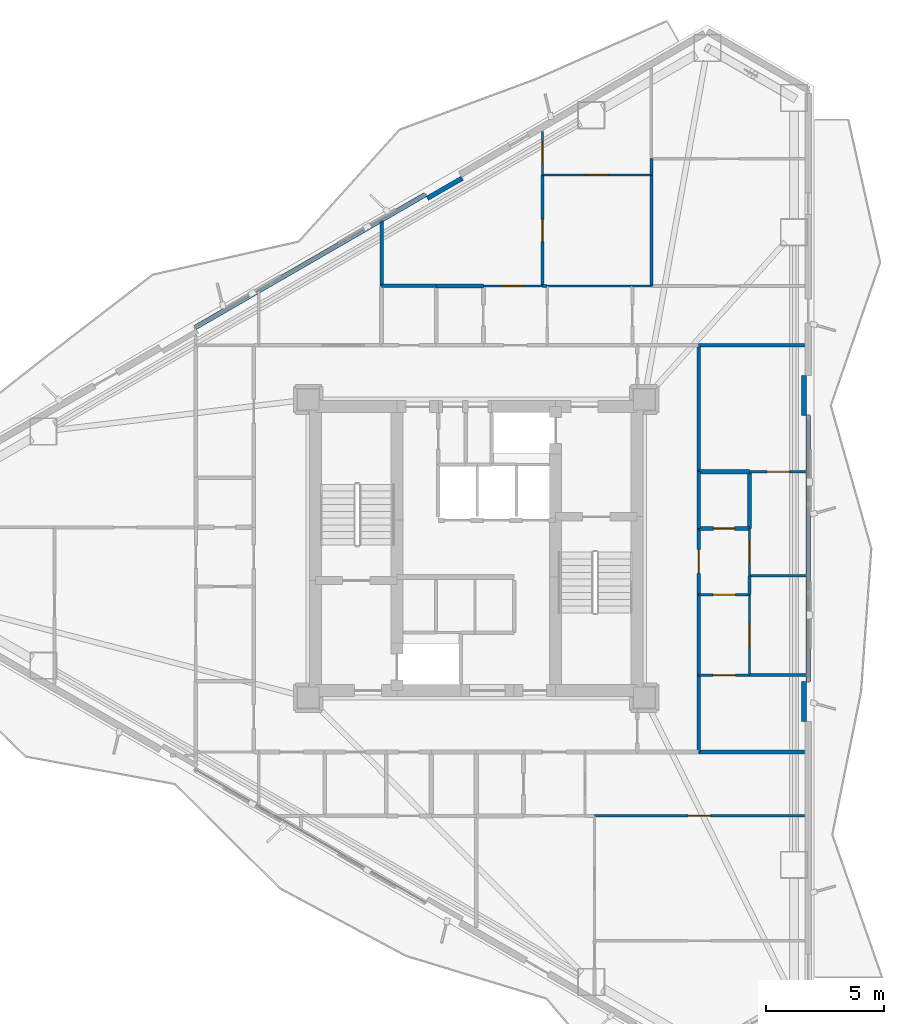
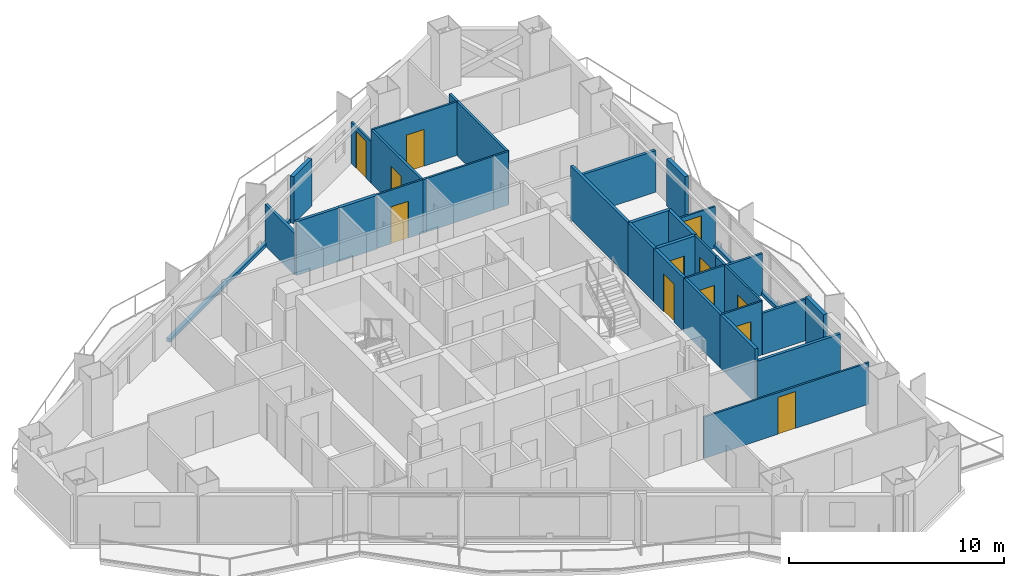
# One storey, part 19 of 23: 36 walls, 12 doors, 12 openings.
"""IFC4 building model written with IfcOpenShell, lengths in metres."""

from ifc_helpers import new_model, si_unit, direction, frame, frame_2d, origin, place, context, subcontext, project, spatial, rectangle, extrude, material, layer, layer_set, type_object, element, fill, save


model = new_model("IFC4")

# Units and contexts
model_context = context("Model", 3, precision=1e-05, world=origin(), true_north=direction((0.0, 1.0)))
body_context = subcontext(model_context, "Body", "Model", "MODEL_VIEW")
ifc_project = project(units=[si_unit("LENGTHUNIT", "METRE"), si_unit("AREAUNIT", "SQUARE_METRE"), si_unit("VOLUMEUNIT", "CUBIC_METRE"), si_unit("PLANEANGLEUNIT", "RADIAN"), si_unit("MASSUNIT", "GRAM", prefix="KILO")], contexts=[model_context])

# Site, building, storey
site_placement = place(None, origin())
site = spatial("IfcSite", under=ifc_project, at=site_placement, CompositionType="ELEMENT")
building_placement = place(site_placement, origin())
building = spatial("IfcBuilding", under=site, at=building_placement, Name="Mersakhor Tower and Convention Hall", CompositionType="ELEMENT")
storey_placement = place(building_placement, frame((0.0, 0.0, 80.10009765625)))
storey = spatial("IfcBuildingStorey", under=building, at=storey_placement, Name="L21", CompositionType="ELEMENT", Elevation=80.10009765625)

# Walls
ifc_material_1 = material(Name="Precast concrete C40/50", Category="concrete")
ifc_layer_1 = layer(ifc_material_1, 0.199951171875)
ifc_layer_set_1 = layer_set([ifc_layer_1], Name="Precast concrete C40/50")
wall_type_1 = type_object("IfcWallType", Name="WL-PAR-200", PredefinedType="PARAPET", material=ifc_layer_set_1)
wall_1_placement = place(storey_placement, frame((17.1201171875, 36.096923828125, 0.0), z_axis=(0.0, 0.0, 1.0), x_axis=(0.866027010039, 0.499997217876, 0.0)))
element("IfcWall", 1, at=wall_1_placement, inside=storey, type_object=wall_type_1, Name="L21 Curtain Wall Upstand Sill F1-B2", PredefinedType="PARAPET", context=body_context, shape_type="SweptSolid", body=[
    extrude(rectangle(XDim=11.2294921875, YDim=0.199951171875, at=frame_2d((5.61474609375, 0.0))), origin(), (0.0, 0.0, 1.0), 0.199951171875),
])
wall_2_placement = place(storey_placement, frame((26.935302734375, 41.555908203125, 0.0), z_axis=(0.0, 0.0, 1.0), x_axis=(0.86605165483, 0.499954529098, 0.0)))
element("IfcWall", 2, at=wall_2_placement, inside=storey, type_object=wall_type_1, Name="L21 Column Pier Cladding Wall F1-C2", PredefinedType="PARAPET", context=body_context, shape_type="SweptSolid", body=[
    extrude(rectangle(XDim=1.699951171875, YDim=0.199951171875, at=frame_2d((0.85009765625, 0.0))), origin(), (0.0, 0.0, 1.0), 2.669921875),
])
wall_3_placement = place(storey_placement, frame((43.03466796875, 32.36474609375, 0.0), z_axis=(0.0, 0.0, 1.0), x_axis=(0.0, -1.0, 0.0)))
element("IfcWall", 3, at=wall_3_placement, inside=storey, type_object=wall_type_1, Name="L21 Curtain Wall Upstand Sill F2-B2", PredefinedType="PARAPET", context=body_context, shape_type="SweptSolid", body=[
    extrude(rectangle(XDim=11.2294921875, YDim=0.199951171875, at=frame_2d((5.61474609375, 0.0))), origin(), (0.0, 0.0, 1.0), 0.199951171875),
])
for number, where, z_axis, x_axis, name in (
    (4, (42.8544921875, 34.064697265625, 0.0), (0.0, 0.0, 1.0), (0.0, -1.0, 0.0), "L21 Column Pier Cladding Wall F2-C1"),
    (5, (42.8544921875, 21.13525390625, 0.0), (0.0, 0.0, 1.0), (0.0, -1.0, 0.0), "L21 Column Pier Cladding Wall F2-C2"),
):
    element("IfcWall", number, at=place(storey_placement, frame(where, z_axis=z_axis, x_axis=x_axis)), inside=storey, type_object=wall_type_1, Name=name, PredefinedType="PARAPET", context=body_context, shape_type="SweptSolid", body=[
        extrude(rectangle(XDim=1.699951171875, YDim=0.199951171875, at=frame_2d((0.85009765625, 0.0))), origin(), (0.0, 0.0, 1.0), 2.669921875),
    ])

# Wall, opening, door
ifc_material_2 = material(Name="Moisture-resistant acoustic drywall studwork", Category="other")
ifc_layer_2 = layer(ifc_material_2, 0.175048828125)
ifc_layer_set_2 = layer_set([ifc_layer_2], Name="Moisture-resistant acoustic drywall studwork")
wall_type_2 = type_object("IfcWallType", Name="WL-PLM-175", PredefinedType="PLUMBINGWALL", material=ifc_layer_set_2)
wall_4_placement = place(storey_placement, frame((38.39990234375, 27.60009765625, 0.0), z_axis=(0.0, 0.0, 1.0), x_axis=(1.0, 0.0, 0.0)))
wall_4 = element("IfcWall", 6, at=wall_4_placement, inside=storey, type_object=wall_type_2, Name="L21 Interior Partition Wall P-079", PredefinedType="PLUMBINGWALL", context=body_context, shape_type="SweptSolid", body=[
    extrude(rectangle(XDim=2.150146484375, YDim=0.175048828125, at=frame_2d((1.0751953125, 0.0))), origin(), (0.0, 0.0, 1.0), 3.0498046875),
])
opening_1_placement = place(wall_4_placement, frame((0.625, 0.0, 0.0)))
opening_1 = element("IfcOpeningElement", 7, at=opening_1_placement, cuts=wall_4, Name="Opening WD-01", PredefinedType="OPENING", context=body_context, shape_type="SweptSolid", body=[
    extrude(rectangle(XDim=0.89990234375, YDim=2.10009765625, at=frame_2d((0.449951171875, 1.050048828125))), frame((0.0, 0.097412109375, 0.0), z_axis=(0.0, -1.0, 0.0), x_axis=(1.0, 0.0, 0.0)), (0.0, 0.0, 1.0), 0.195068359375),
])
ifc_material_3 = material(Name="Solid-core hardwood leaf in painted steel frame", Category="steel")
door_type_1 = type_object("IfcDoorType", Name="DR-INT-WET-090x210", OperationType="NOTDEFINED", PredefinedType="DOOR", material=ifc_material_3)
door_1_placement = place(opening_1_placement, origin())
door_1 = element("IfcDoor", 8, at=door_1_placement, inside=storey, type_object=door_type_1, Name="L21 L21 Flat E5 Apartment Hall to L21 Flat E5 Bathroom Door", OperationType="SINGLE_SWING_RIGHT", OverallHeight=2.10009765625, OverallWidth=0.89990234375, PredefinedType="DOOR", context=body_context, shape_type="SweptSolid", body=[
    extrude(rectangle(XDim=0.89990234375, YDim=2.10009765625, at=frame_2d((0.449951171875, 1.050048828125))), frame((0.0, 0.02490234375, 0.0), z_axis=(0.0, -1.0, 0.0), x_axis=(1.0, 0.0, 0.0)), (0.0, 0.0, 1.0), 0.050048828125),
])
fill(opening_1, door_1)

# Walls
wall_5_placement = place(storey_placement, frame((27.300048828125, 37.85009765625, 0.0), z_axis=(0.0, 0.0, 1.0), x_axis=(1.0, 0.0, 0.0)))
element("IfcWall", 9, at=wall_5_placement, inside=storey, type_object=wall_type_2, Name="L21 Interior Partition Wall P-083", PredefinedType="PLUMBINGWALL", context=body_context, shape_type="SweptSolid", body=[
    extrude(rectangle(XDim=2.0, YDim=0.175048828125, at=frame_2d((1.0, 0.0))), origin(), (0.0, 0.0, 1.0), 3.0498046875),
])
wall_6_placement = place(storey_placement, frame((40.550048828125, 30.0, 0.0), z_axis=(0.0, 0.0, 1.0), x_axis=(0.0, -1.0, 0.0)))
element("IfcWall", 10, at=wall_6_placement, inside=storey, type_object=wall_type_2, Name="L21 Interior Partition Wall P-098", PredefinedType="PLUMBINGWALL", context=body_context, shape_type="SweptSolid", body=[
    extrude(rectangle(XDim=2.39990234375, YDim=0.175048828125, at=frame_2d((1.199951171875, 0.0))), origin(), (0.0, 0.0, 1.0), 3.0498046875),
])
wall_7_placement = place(storey_placement, frame((38.39990234375, 30.0, 0.0), z_axis=(0.0, 0.0, 1.0), x_axis=(1.0, 0.0, 0.0)))
element("IfcWall", 11, at=wall_7_placement, inside=storey, type_object=wall_type_2, Name="L21 Interior Partition Wall P-099", PredefinedType="PLUMBINGWALL", context=body_context, shape_type="SweptSolid", body=[
    extrude(rectangle(XDim=2.150146484375, YDim=0.175048828125, at=frame_2d((1.0751953125, 0.0))), origin(), (0.0, 0.0, 1.0), 3.0498046875),
])

# Wall, opening, door
ifc_material_4 = material(Name="Lightweight gypsum partition", Category="other")
ifc_layer_3 = layer(ifc_material_4, 0.10009765625)
ifc_layer_set_3 = layer_set([ifc_layer_3], Name="Lightweight gypsum partition")
wall_type_3 = type_object("IfcWallType", Name="WL-PRT-100", PredefinedType="PARTITIONING", material=ifc_layer_set_3)
wall_8_placement = place(storey_placement, frame((29.300048828125, 37.85009765625, 0.0), z_axis=(0.0, 0.0, 1.0), x_axis=(1.0, 0.0, 0.0)))
wall_8 = element("IfcWall", 12, at=wall_8_placement, inside=storey, type_object=wall_type_3, Name="L21 Interior Partition Wall P-066", PredefinedType="PARTITIONING", context=body_context, shape_type="SweptSolid", body=[
    extrude(rectangle(XDim=2.5, YDim=0.10009765625, at=frame_2d((1.25, 0.0))), origin(), (0.0, 0.0, 1.0), 3.0498046875),
])
opening_2_placement = place(wall_8_placement, frame((0.77490234375, 0.0, 0.0)))
opening_2 = element("IfcOpeningElement", 13, at=opening_2_placement, cuts=wall_8, Name="Opening RD-01", PredefinedType="OPENING", context=body_context, shape_type="SweptSolid", body=[
    extrude(rectangle(XDim=0.949951171875, YDim=2.10009765625, at=frame_2d((0.47509765625, 1.050048828125))), frame((0.0, 0.06005859375, 0.0), z_axis=(0.0, -1.0, 0.0), x_axis=(1.0, 0.0, 0.0)), (0.0, 0.0, 1.0), 0.1201171875),
])
ifc_material_5 = material(Name="Solid-core hardwood leaf in painted steel frame", Category="steel")
door_type_2 = type_object("IfcDoorType", Name="DR-INT-RM-095x210", OperationType="NOTDEFINED", PredefinedType="DOOR", material=ifc_material_5)
door_2_placement = place(opening_2_placement, origin())
door_2 = element("IfcDoor", 14, at=door_2_placement, inside=storey, type_object=door_type_2, Name="L21 L21 Flat N1 Apartment Hall to L21 Flat N1 Living and Dining Room Door", OperationType="SINGLE_SWING_LEFT", OverallHeight=2.10009765625, OverallWidth=0.949951171875, PredefinedType="DOOR", context=body_context, shape_type="SweptSolid", body=[
    extrude(rectangle(XDim=0.949951171875, YDim=2.10009765625, at=frame_2d((0.47509765625, 1.050048828125))), frame((0.0, 0.02490234375, 0.0), z_axis=(0.0, -1.0, 0.0), x_axis=(1.0, 0.0, 0.0)), (0.0, 0.0, 1.0), 0.050048828125),
])
fill(opening_2, door_2)

wall_9_placement = place(storey_placement, frame((40.550048828125, 27.60009765625, 0.0), z_axis=(0.0, 0.0, 1.0), x_axis=(0.0, -1.0, 0.0)))
wall_9 = element("IfcWall", 15, at=wall_9_placement, inside=storey, type_object=wall_type_3, Name="L21 Interior Partition Wall P-076", PredefinedType="PARTITIONING", context=body_context, shape_type="SweptSolid", body=[
    extrude(rectangle(XDim=2.0, YDim=0.10009765625, at=frame_2d((1.0, 0.0))), origin(), (0.0, 0.0, 1.0), 3.0498046875),
])
opening_3_placement = place(wall_9_placement, frame((0.52490234375, 0.0, 0.0)))
opening_3 = element("IfcOpeningElement", 16, at=opening_3_placement, cuts=wall_9, Name="Opening RD-01", PredefinedType="OPENING", context=body_context, shape_type="SweptSolid", body=[
    extrude(rectangle(XDim=0.949951171875, YDim=2.10009765625, at=frame_2d((0.47509765625, 1.050048828125))), frame((0.0, 0.06005859375, 0.0), z_axis=(0.0, -1.0, 0.0), x_axis=(1.0, 0.0, 0.0)), (0.0, 0.0, 1.0), 0.1201171875),
])
door_3_placement = place(opening_3_placement, origin())
door_3 = element("IfcDoor", 17, at=door_3_placement, inside=storey, type_object=door_type_2, Name="L21 L21 Flat E5 Apartment Hall to L21 Flat E5 Master Bedroom Door", OperationType="SINGLE_SWING_LEFT", OverallHeight=2.10009765625, OverallWidth=0.949951171875, PredefinedType="DOOR", context=body_context, shape_type="SweptSolid", body=[
    extrude(rectangle(XDim=0.949951171875, YDim=2.10009765625, at=frame_2d((0.47509765625, 1.050048828125))), frame((0.0, 0.02490234375, 0.0), z_axis=(0.0, -1.0, 0.0), x_axis=(1.0, 0.0, 0.0)), (0.0, 0.0, 1.0), 0.050048828125),
])
fill(opening_3, door_3)

wall_10_placement = place(storey_placement, frame((40.550048828125, 24.800048828125, 0.0), z_axis=(0.0, 0.0, 1.0), x_axis=(-1.0, 0.0, 0.0)))
wall_10 = element("IfcWall", 18, at=wall_10_placement, inside=storey, type_object=wall_type_3, Name="L21 Interior Partition Wall P-078", PredefinedType="PARTITIONING", context=body_context, shape_type="SweptSolid", body=[
    extrude(rectangle(XDim=2.150146484375, YDim=0.10009765625, at=frame_2d((1.0751953125, 0.0))), origin(), (0.0, 0.0, 1.0), 3.0498046875),
])
opening_4_placement = place(wall_10_placement, frame((0.60009765625, 0.0, 0.0)))
opening_4 = element("IfcOpeningElement", 19, at=opening_4_placement, cuts=wall_10, Name="Opening RD-01", PredefinedType="OPENING", context=body_context, shape_type="SweptSolid", body=[
    extrude(rectangle(XDim=0.949951171875, YDim=2.10009765625, at=frame_2d((0.47509765625, 1.050048828125))), frame((0.0, 0.06005859375, 0.0), z_axis=(0.0, -1.0, 0.0), x_axis=(1.0, 0.0, 0.0)), (0.0, 0.0, 1.0), 0.1201171875),
])
door_4_placement = place(opening_4_placement, origin())
door_4 = element("IfcDoor", 20, at=door_4_placement, inside=storey, type_object=door_type_2, Name="L21 L21 Flat E5 Apartment Hall to L21 Flat E5 Dining Alcove Door", OperationType="SINGLE_SWING_RIGHT", OverallHeight=2.10009765625, OverallWidth=0.949951171875, PredefinedType="DOOR", context=body_context, shape_type="SweptSolid", body=[
    extrude(rectangle(XDim=0.949951171875, YDim=2.10009765625, at=frame_2d((0.47509765625, 1.050048828125))), frame((0.0, 0.02490234375, 0.0), z_axis=(0.0, -1.0, 0.0), x_axis=(1.0, 0.0, 0.0)), (0.0, 0.0, 1.0), 0.050048828125),
])
fill(opening_4, door_4)

# Wall
wall_11_placement = place(storey_placement, frame((32.0, 37.85009765625, 0.0), z_axis=(0.0, 0.0, 1.0), x_axis=(1.0, 0.0, 0.0)))
element("IfcWall", 21, at=wall_11_placement, inside=storey, type_object=wall_type_3, Name="L21 Interior Partition Wall P-084", PredefinedType="PARTITIONING", context=body_context, shape_type="SweptSolid", body=[
    extrude(rectangle(XDim=3.60009765625, YDim=0.10009765625, at=frame_2d((1.800048828125, 0.0))), origin(), (0.0, 0.0, 1.0), 3.0498046875),
])

# Wall, opening, door
wall_12_placement = place(storey_placement, frame((42.873046875, 15.449951171875, 0.0), z_axis=(0.0, 0.0, 1.0), x_axis=(-1.0, 0.0, 0.0)))
wall_12 = element("IfcWall", 22, at=wall_12_placement, inside=storey, type_object=wall_type_3, Name="L21 Interior Partition Wall P-092", PredefinedType="PARTITIONING", context=body_context, shape_type="SweptSolid", body=[
    extrude(rectangle(XDim=8.873046875, YDim=0.10009765625, at=frame_2d((4.4365234375, 0.0))), origin(), (0.0, 0.0, 1.0), 2.364990234375),
])
opening_5_placement = place(wall_12_placement, frame((3.961669921875, 0.0, 0.0)))
opening_5 = element("IfcOpeningElement", 23, at=opening_5_placement, cuts=wall_12, Name="Opening RD-01", PredefinedType="OPENING", context=body_context, shape_type="SweptSolid", body=[
    extrude(rectangle(XDim=0.949951171875, YDim=2.10009765625, at=frame_2d((0.47509765625, 1.050048828125))), frame((0.0, 0.06005859375, 0.0), z_axis=(0.0, -1.0, 0.0), x_axis=(1.0, 0.0, 0.0)), (0.0, 0.0, 1.0), 0.1201171875),
])
door_5_placement = place(opening_5_placement, origin())
door_5 = element("IfcDoor", 24, at=door_5_placement, inside=storey, type_object=door_type_2, Name="L21 L21 Flat S3 Kitchen to L21 Flat S3 Dining Room Door", OperationType="SINGLE_SWING_LEFT", OverallHeight=2.10009765625, OverallWidth=0.949951171875, PredefinedType="DOOR", context=body_context, shape_type="SweptSolid", body=[
    extrude(rectangle(XDim=0.949951171875, YDim=2.10009765625, at=frame_2d((0.47509765625, 1.050048828125))), frame((0.0, 0.02490234375, 0.0), z_axis=(0.0, -1.0, 0.0), x_axis=(1.0, 0.0, 0.0)), (0.0, 0.0, 1.0), 0.050048828125),
])
fill(opening_5, door_5)

wall_13_placement = place(storey_placement, frame((38.39990234375, 21.39990234375, 0.0), z_axis=(0.0, 0.0, 1.0), x_axis=(1.0, 0.0, 0.0)))
wall_13 = element("IfcWall", 25, at=wall_13_placement, inside=storey, type_object=wall_type_3, Name="L21 Interior Partition Wall P-100", PredefinedType="PARTITIONING", context=body_context, shape_type="SweptSolid", body=[
    extrude(rectangle(XDim=2.150146484375, YDim=0.10009765625, at=frame_2d((1.0751953125, 0.0))), origin(), (0.0, 0.0, 1.0), 3.0498046875),
])
opening_6_placement = place(wall_13_placement, frame((0.60009765625, 0.0, 0.0)))
opening_6 = element("IfcOpeningElement", 26, at=opening_6_placement, cuts=wall_13, Name="Opening RD-01", PredefinedType="OPENING", context=body_context, shape_type="SweptSolid", body=[
    extrude(rectangle(XDim=0.949951171875, YDim=2.10009765625, at=frame_2d((0.47509765625, 1.050048828125))), frame((0.0, 0.06005859375, 0.0), z_axis=(0.0, -1.0, 0.0), x_axis=(1.0, 0.0, 0.0)), (0.0, 0.0, 1.0), 0.1201171875),
])
door_6_placement = place(opening_6_placement, origin())
door_6 = element("IfcDoor", 27, at=door_6_placement, inside=storey, type_object=door_type_2, Name="L21 L21 Flat E5 Kitchen to L21 Flat E5 Dining Alcove Door", OperationType="SINGLE_SWING_LEFT", OverallHeight=2.10009765625, OverallWidth=0.949951171875, PredefinedType="DOOR", context=body_context, shape_type="SweptSolid", body=[
    extrude(rectangle(XDim=0.949951171875, YDim=2.10009765625, at=frame_2d((0.47509765625, 1.050048828125))), frame((0.0, 0.02490234375, 0.0), z_axis=(0.0, -1.0, 0.0), x_axis=(1.0, 0.0, 0.0)), (0.0, 0.0, 1.0), 0.050048828125),
])
fill(opening_6, door_6)

# Wall
wall_14_placement = place(storey_placement, frame((35.60009765625, 37.85009765625, 0.0), z_axis=(0.0, 0.0, 1.0), x_axis=(1.0, 0.0, 0.0)))
element("IfcWall", 28, at=wall_14_placement, inside=storey, type_object=wall_type_3, Name="L21 Interior Partition Wall P-110", PredefinedType="PARTITIONING", context=body_context, shape_type="SweptSolid", body=[
    extrude(rectangle(XDim=0.7998046875, YDim=0.10009765625, at=frame_2d((0.39990234375, 0.0))), origin(), (0.0, 0.0, 1.0), 3.0498046875),
])

# Wall, opening, door
wall_15_placement = place(storey_placement, frame((31.800048828125, 44.3857421875, 0.0), z_axis=(0.0, 0.0, 1.0), x_axis=(0.0, -1.0, 0.0)))
wall_15 = element("IfcWall", 29, at=wall_15_placement, inside=storey, type_object=wall_type_3, Name="L21 Interior Partition Wall P-112", PredefinedType="PARTITIONING", context=body_context, shape_type="SweptSolid", body=[
    extrude(rectangle(XDim=1.845703125, YDim=0.10009765625, at=frame_2d((0.9228515625, 0.0))), origin(), (0.0, 0.0, 1.0), 2.364990234375),
])
opening_7_placement = place(wall_15_placement, frame((0.447998046875, 0.0, 0.0)))
opening_7 = element("IfcOpeningElement", 30, at=opening_7_placement, cuts=wall_15, Name="Opening RD-01", PredefinedType="OPENING", context=body_context, shape_type="SweptSolid", body=[
    extrude(rectangle(XDim=0.949951171875, YDim=2.10009765625, at=frame_2d((0.47509765625, 1.050048828125))), frame((0.0, 0.06005859375, 0.0), z_axis=(0.0, -1.0, 0.0), x_axis=(1.0, 0.0, 0.0)), (0.0, 0.0, 1.0), 0.1201171875),
])
door_7_placement = place(opening_7_placement, origin())
door_7 = element("IfcDoor", 31, at=door_7_placement, inside=storey, type_object=door_type_2, Name="L21 L21 Flat N1 Living and Dining Room to L21 Flat N1 Study Room Door", OperationType="SINGLE_SWING_RIGHT", OverallHeight=2.10009765625, OverallWidth=0.949951171875, PredefinedType="DOOR", context=body_context, shape_type="SweptSolid", body=[
    extrude(rectangle(XDim=0.949951171875, YDim=2.10009765625, at=frame_2d((0.47509765625, 1.050048828125))), frame((0.0, 0.02490234375, 0.0), z_axis=(0.0, -1.0, 0.0), x_axis=(1.0, 0.0, 0.0)), (0.0, 0.0, 1.0), 0.050048828125),
])
fill(opening_7, door_7)

wall_16_placement = place(storey_placement, frame((31.800048828125, 42.5400390625, 0.0), z_axis=(0.0, 0.0, 1.0), x_axis=(1.0, 0.0, 0.0)))
wall_16 = element("IfcWall", 32, at=wall_16_placement, inside=storey, type_object=wall_type_3, Name="L21 Interior Partition Wall P-114", PredefinedType="PARTITIONING", context=body_context, shape_type="SweptSolid", body=[
    extrude(rectangle(XDim=4.599853515625, YDim=0.10009765625, at=frame_2d((2.2998046875, 0.0))), origin(), (0.0, 0.0, 1.0), 3.0498046875),
])
opening_8_placement = place(wall_16_placement, frame((1.824951171875, 0.0, 0.0)))
opening_8 = element("IfcOpeningElement", 33, at=opening_8_placement, cuts=wall_16, Name="Opening RD-01", PredefinedType="OPENING", context=body_context, shape_type="SweptSolid", body=[
    extrude(rectangle(XDim=0.949951171875, YDim=2.10009765625, at=frame_2d((0.47509765625, 1.050048828125))), frame((0.0, 0.06005859375, 0.0), z_axis=(0.0, -1.0, 0.0), x_axis=(1.0, 0.0, 0.0)), (0.0, 0.0, 1.0), 0.1201171875),
])
door_8_placement = place(opening_8_placement, origin())
door_8 = element("IfcDoor", 34, at=door_8_placement, inside=storey, type_object=door_type_2, Name="L21 L21 Flat N1 Bedroom 1 to L21 Flat N1 Study Room Door", OperationType="SINGLE_SWING_LEFT", OverallHeight=2.10009765625, OverallWidth=0.949951171875, PredefinedType="DOOR", context=body_context, shape_type="SweptSolid", body=[
    extrude(rectangle(XDim=0.949951171875, YDim=2.10009765625, at=frame_2d((0.47509765625, 1.050048828125))), frame((0.0, 0.02490234375, 0.0), z_axis=(0.0, -1.0, 0.0), x_axis=(1.0, 0.0, 0.0)), (0.0, 0.0, 1.0), 0.050048828125),
])
fill(opening_8, door_8)

wall_17_placement = place(storey_placement, frame((42.99853515625, 30.0, 0.0), z_axis=(0.0, 0.0, 1.0), x_axis=(-1.0, 0.0, 0.0)))
wall_17 = element("IfcWall", 35, at=wall_17_placement, inside=storey, type_object=wall_type_3, Name="L21 Interior Partition Wall P-138", PredefinedType="PARTITIONING", context=body_context, shape_type="SweptSolid", body=[
    extrude(rectangle(XDim=2.448486328125, YDim=0.10009765625, at=frame_2d((1.22412109375, 0.0))), origin(), (0.0, 0.0, 1.0), 2.364990234375),
])
opening_9_placement = place(wall_17_placement, frame((0.749267578125, 0.0, 0.0)))
opening_9 = element("IfcOpeningElement", 36, at=opening_9_placement, cuts=wall_17, Name="Opening RD-01", PredefinedType="OPENING", context=body_context, shape_type="SweptSolid", body=[
    extrude(rectangle(XDim=0.949951171875, YDim=2.10009765625, at=frame_2d((0.47509765625, 1.050048828125))), frame((0.0, 0.06005859375, 0.0), z_axis=(0.0, -1.0, 0.0), x_axis=(1.0, 0.0, 0.0)), (0.0, 0.0, 1.0), 0.1201171875),
])
door_9_placement = place(opening_9_placement, origin())
door_9 = element("IfcDoor", 37, at=door_9_placement, inside=storey, type_object=door_type_2, Name="L21 L21 Flat E5 Living and Dining Room to L21 Flat E5 Master Bedroom Door", OperationType="SINGLE_SWING_LEFT", OverallHeight=2.10009765625, OverallWidth=0.949951171875, PredefinedType="DOOR", context=body_context, shape_type="SweptSolid", body=[
    extrude(rectangle(XDim=0.949951171875, YDim=2.10009765625, at=frame_2d((0.47509765625, 1.050048828125))), frame((0.0, 0.02490234375, 0.0), z_axis=(0.0, -1.0, 0.0), x_axis=(1.0, 0.0, 0.0)), (0.0, 0.0, 1.0), 0.050048828125),
])
fill(opening_9, door_9)

wall_18_placement = place(storey_placement, frame((40.550048828125, 21.39990234375, 0.0), z_axis=(0.0, 0.0, 1.0), x_axis=(0.0, 1.0, 0.0)))
wall_18 = element("IfcWall", 38, at=wall_18_placement, inside=storey, type_object=wall_type_3, Name="L21 Interior Partition Wall P-140", PredefinedType="PARTITIONING", context=body_context, shape_type="SweptSolid", body=[
    extrude(rectangle(XDim=3.400146484375, YDim=0.10009765625, at=frame_2d((1.7001953125, 0.0))), origin(), (0.0, 0.0, 1.0), 3.0498046875),
])
opening_10_placement = place(wall_18_placement, frame((1.22509765625, 0.0, 0.0)))
opening_10 = element("IfcOpeningElement", 39, at=opening_10_placement, cuts=wall_18, Name="Opening RD-01", PredefinedType="OPENING", context=body_context, shape_type="SweptSolid", body=[
    extrude(rectangle(XDim=0.949951171875, YDim=2.10009765625, at=frame_2d((0.47509765625, 1.050048828125))), frame((0.0, 0.06005859375, 0.0), z_axis=(0.0, -1.0, 0.0), x_axis=(1.0, 0.0, 0.0)), (0.0, 0.0, 1.0), 0.1201171875),
])
door_10_placement = place(opening_10_placement, origin())
door_10 = element("IfcDoor", 40, at=door_10_placement, inside=storey, type_object=door_type_2, Name="L21 L21 Flat E5 Bedroom 2 to L21 Flat E5 Dining Alcove Door", OperationType="SINGLE_SWING_RIGHT", OverallHeight=2.10009765625, OverallWidth=0.949951171875, PredefinedType="DOOR", context=body_context, shape_type="SweptSolid", body=[
    extrude(rectangle(XDim=0.949951171875, YDim=2.10009765625, at=frame_2d((0.47509765625, 1.050048828125))), frame((0.0, 0.02490234375, 0.0), z_axis=(0.0, -1.0, 0.0), x_axis=(1.0, 0.0, 0.0)), (0.0, 0.0, 1.0), 0.050048828125),
])
fill(opening_10, door_10)

# Walls
ifc_material_6 = material(Name="Gypsum board acoustic partition", Category="other")
ifc_layer_4 = layer(ifc_material_6, 0.125)
ifc_layer_set_4 = layer_set([ifc_layer_4], Name="Gypsum board acoustic partition")
wall_type_4 = type_object("IfcWallType", Name="WL-PRT-125", PredefinedType="PARTITIONING", material=ifc_layer_set_4)
wall_19_placement = place(storey_placement, frame((31.800048828125, 37.85009765625, 0.0), z_axis=(0.0, 0.0, 1.0), x_axis=(1.0, 0.0, 0.0)))
element("IfcWall", 41, at=wall_19_placement, inside=storey, type_object=wall_type_4, Name="L21 Interior Partition Wall P-067", PredefinedType="PARTITIONING", context=body_context, shape_type="SweptSolid", body=[
    extrude(rectangle(XDim=0.199951171875, YDim=0.125, at=frame_2d((0.10009765625, 0.0))), origin(), (0.0, 0.0, 1.0), 3.0498046875),
])
wall_20_placement = place(storey_placement, frame((40.550048828125, 25.60009765625, 0.0), z_axis=(0.0, 0.0, 1.0), x_axis=(0.0, -1.0, 0.0)))
element("IfcWall", 42, at=wall_20_placement, inside=storey, type_object=wall_type_4, Name="L21 Interior Partition Wall P-077", PredefinedType="PARTITIONING", context=body_context, shape_type="SweptSolid", body=[
    extrude(rectangle(XDim=0.800048828125, YDim=0.125, at=frame_2d((0.39990234375, 0.0))), origin(), (0.0, 0.0, 1.0), 3.0498046875),
])
wall_21_placement = place(storey_placement, frame((40.550048828125, 21.39990234375, 0.0), z_axis=(0.0, 0.0, 1.0), x_axis=(1.0, 0.0, 0.0)))
element("IfcWall", 43, at=wall_21_placement, inside=storey, type_object=wall_type_4, Name="L21 Interior Partition Wall P-101", PredefinedType="PARTITIONING", context=body_context, shape_type="SweptSolid", body=[
    extrude(rectangle(XDim=2.448486328125, YDim=0.125, at=frame_2d((1.22412109375, 0.0))), origin(), (0.0, 0.0, 1.0), 2.364990234375),
])

# Wall, opening, door
wall_22_placement = place(storey_placement, frame((31.800048828125, 42.5400390625, 0.0), z_axis=(0.0, 0.0, 1.0), x_axis=(0.0, -1.0, 0.0)))
wall_22 = element("IfcWall", 44, at=wall_22_placement, inside=storey, type_object=wall_type_4, Name="L21 Interior Partition Wall P-113", PredefinedType="PARTITIONING", context=body_context, shape_type="SweptSolid", body=[
    extrude(rectangle(XDim=4.68994140625, YDim=0.125, at=frame_2d((2.344970703125, 0.0))), origin(), (0.0, 0.0, 1.0), 3.0498046875),
])
opening_11_placement = place(wall_22_placement, frame((1.8701171875, 0.0, 0.0)))
opening_11 = element("IfcOpeningElement", 45, at=opening_11_placement, cuts=wall_22, Name="Opening RD-01", PredefinedType="OPENING", context=body_context, shape_type="SweptSolid", body=[
    extrude(rectangle(XDim=0.949951171875, YDim=2.10009765625, at=frame_2d((0.47509765625, 1.050048828125))), frame((0.0, 0.072509765625, 0.0), z_axis=(0.0, -1.0, 0.0), x_axis=(1.0, 0.0, 0.0)), (0.0, 0.0, 1.0), 0.14501953125),
])
door_11_placement = place(opening_11_placement, origin())
door_11 = element("IfcDoor", 46, at=door_11_placement, inside=storey, type_object=door_type_2, Name="L21 L21 Flat N1 Living and Dining Room to L21 Flat N1 Bedroom 1 Door", OperationType="SINGLE_SWING_LEFT", OverallHeight=2.10009765625, OverallWidth=0.949951171875, PredefinedType="DOOR", context=body_context, shape_type="SweptSolid", body=[
    extrude(rectangle(XDim=0.949951171875, YDim=2.10009765625, at=frame_2d((0.47509765625, 1.050048828125))), frame((0.0, 0.02490234375, 0.0), z_axis=(0.0, -1.0, 0.0), x_axis=(1.0, 0.0, 0.0)), (0.0, 0.0, 1.0), 0.050048828125),
])
fill(opening_11, door_11)

# Walls
wall_23_placement = place(storey_placement, frame((36.39990234375, 42.5400390625, 0.0), z_axis=(0.0, 0.0, 1.0), x_axis=(0.0, -1.0, 0.0)))
element("IfcWall", 47, at=wall_23_placement, inside=storey, type_object=wall_type_4, Name="L21 Interior Partition Wall P-115", PredefinedType="PARTITIONING", context=body_context, shape_type="SweptSolid", body=[
    extrude(rectangle(XDim=4.68994140625, YDim=0.125, at=frame_2d((2.344970703125, 0.0))), origin(), (0.0, 0.0, 1.0), 3.0498046875),
])
wall_24_placement = place(storey_placement, frame((36.39990234375, 43.22998046875, 0.0), z_axis=(0.0, 0.0, 1.0), x_axis=(0.0, -1.0, 0.0)))
element("IfcWall", 48, at=wall_24_placement, inside=storey, type_object=wall_type_4, Name="L21 Interior Partition Wall P-117", PredefinedType="PARTITIONING", context=body_context, shape_type="SweptSolid", body=[
    extrude(rectangle(XDim=0.68994140625, YDim=0.125, at=frame_2d((0.344970703125, 0.0))), origin(), (0.0, 0.0, 1.0), 3.0498046875),
])
wall_25_placement = place(storey_placement, frame((42.99853515625, 25.60009765625, 0.0), z_axis=(0.0, 0.0, 1.0), x_axis=(-1.0, 0.0, 0.0)))
element("IfcWall", 49, at=wall_25_placement, inside=storey, type_object=wall_type_4, Name="L21 Interior Partition Wall P-139", PredefinedType="PARTITIONING", context=body_context, shape_type="SweptSolid", body=[
    extrude(rectangle(XDim=2.448486328125, YDim=0.125, at=frame_2d((1.22412109375, 0.0))), origin(), (0.0, 0.0, 1.0), 2.364990234375),
])
ifc_material_7 = material(Name="Fire-rated gypsum board stud partition", Category="other")
ifc_layer_5 = layer(ifc_material_7, 0.14990234375)
ifc_layer_set_5 = layer_set([ifc_layer_5], Name="Fire-rated gypsum board stud partition")
wall_type_5 = type_object("IfcWallType", Name="WL-PRT-150", PredefinedType="PARTITIONING", material=ifc_layer_set_5)
wall_26_placement = place(storey_placement, frame((38.39990234375, 35.35009765625, 0.0), z_axis=(0.0, 0.0, 1.0), x_axis=(0.0, -1.0, 0.0)))
element("IfcWall", 50, at=wall_26_placement, inside=storey, type_object=wall_type_5, Name="L21 Interior Partition Wall P-058", PredefinedType="PARTITIONING", context=body_context, shape_type="SweptSolid", body=[
    extrude(rectangle(XDim=5.35009765625, YDim=0.14990234375, at=frame_2d((2.675048828125, 0.0))), origin(), (0.0, 0.0, 1.0), 3.0498046875),
])
wall_27_placement = place(storey_placement, frame((38.39990234375, 30.0, 0.0), z_axis=(0.0, 0.0, 1.0), x_axis=(0.0, -1.0, 0.0)))
element("IfcWall", 51, at=wall_27_placement, inside=storey, type_object=wall_type_5, Name="L21 Interior Partition Wall P-059", PredefinedType="PARTITIONING", context=body_context, shape_type="SweptSolid", body=[
    extrude(rectangle(XDim=2.39990234375, YDim=0.14990234375, at=frame_2d((1.199951171875, 0.0))), origin(), (0.0, 0.0, 1.0), 3.0498046875),
])

# Wall, opening, door
wall_28_placement = place(storey_placement, frame((38.39990234375, 27.60009765625, 0.0), z_axis=(0.0, 0.0, 1.0), x_axis=(0.0, -1.0, 0.0)))
wall_28 = element("IfcWall", 52, at=wall_28_placement, inside=storey, type_object=wall_type_5, Name="L21 Interior Partition Wall P-060", PredefinedType="PARTITIONING", context=body_context, shape_type="SweptSolid", body=[
    extrude(rectangle(XDim=2.800048828125, YDim=0.14990234375, at=frame_2d((1.39990234375, 0.0))), origin(), (0.0, 0.0, 1.0), 3.0498046875),
])
opening_12_placement = place(wall_28_placement, frame((0.89990234375, 0.0, 0.0)))
opening_12 = element("IfcOpeningElement", 53, at=opening_12_placement, cuts=wall_28, Name="Opening FD-01", PredefinedType="OPENING", context=body_context, shape_type="SweptSolid", body=[
    extrude(rectangle(XDim=1.0, YDim=2.14990234375, at=frame_2d((0.5, 1.074951171875))), frame((0.0, 0.0849609375, 0.0), z_axis=(0.0, -1.0, 0.0), x_axis=(1.0, 0.0, 0.0)), (0.0, 0.0, 1.0), 0.169921875),
])
ifc_material_8 = material(Name="Fire-rated hardwood leaf and painted steel frame", Category="steel")
door_type_3 = type_object("IfcDoorType", Name="DR-INT-FLT-100x215", OperationType="NOTDEFINED", PredefinedType="DOOR", material=ifc_material_8)
door_12_placement = place(opening_12_placement, origin())
door_12 = element("IfcDoor", 54, at=door_12_placement, inside=storey, type_object=door_type_3, Name="L21 Apartment Entrance Door (Residential Ring East Corridor to L21 Flat E5 Apartment Hall)", OperationType="SINGLE_SWING_RIGHT", OverallHeight=2.14990234375, OverallWidth=1.0, PredefinedType="DOOR", context=body_context, shape_type="SweptSolid", body=[
    extrude(rectangle(XDim=1.0, YDim=2.14990234375, at=frame_2d((0.5, 1.074951171875))), frame((0.0, 0.02490234375, 0.0), z_axis=(0.0, -1.0, 0.0), x_axis=(1.0, 0.0, 0.0)), (0.0, 0.0, 1.0), 0.050048828125),
])
fill(opening_12, door_12)

# Walls
wall_29_placement = place(storey_placement, frame((38.39990234375, 24.800048828125, 0.0), z_axis=(0.0, 0.0, 1.0), x_axis=(0.0, -1.0, 0.0)))
element("IfcWall", 55, at=wall_29_placement, inside=storey, type_object=wall_type_5, Name="L21 Interior Partition Wall P-061", PredefinedType="PARTITIONING", context=body_context, shape_type="SweptSolid", body=[
    extrude(rectangle(XDim=3.400146484375, YDim=0.14990234375, at=frame_2d((1.7001953125, 0.0))), origin(), (0.0, 0.0, 1.0), 3.0498046875),
])
wall_30_placement = place(storey_placement, frame((38.39990234375, 21.39990234375, 0.0), z_axis=(0.0, 0.0, 1.0), x_axis=(0.0, -1.0, 0.0)))
element("IfcWall", 56, at=wall_30_placement, inside=storey, type_object=wall_type_5, Name="L21 Interior Partition Wall P-062", PredefinedType="PARTITIONING", context=body_context, shape_type="SweptSolid", body=[
    extrude(rectangle(XDim=3.25, YDim=0.14990234375, at=frame_2d((1.625, 0.0))), origin(), (0.0, 0.0, 1.0), 3.0498046875),
])
wall_31_placement = place(storey_placement, frame((25.0, 37.85009765625, 0.0), z_axis=(0.0, 0.0, 1.0), x_axis=(1.0, 0.0, 0.0)))
element("IfcWall", 57, at=wall_31_placement, inside=storey, type_object=wall_type_5, Name="L21 Interior Partition Wall P-080", PredefinedType="PARTITIONING", context=body_context, shape_type="SweptSolid", body=[
    extrude(rectangle(XDim=2.300048828125, YDim=0.14990234375, at=frame_2d((1.14990234375, 0.0))), origin(), (0.0, 0.0, 1.0), 3.0498046875),
])
wall_32_placement = place(storey_placement, frame((38.39990234375, 18.14990234375, 0.0), z_axis=(0.0, 0.0, 1.0), x_axis=(1.0, 0.0, 0.0)))
element("IfcWall", 58, at=wall_32_placement, inside=storey, type_object=wall_type_5, Name="L21 Interior Partition Wall P-091", PredefinedType="PARTITIONING", context=body_context, shape_type="SweptSolid", body=[
    extrude(rectangle(XDim=4.47314453125, YDim=0.14990234375, at=frame_2d((2.236572265625, 0.0))), origin(), (0.0, 0.0, 1.0), 2.364990234375),
])
wall_33_placement = place(storey_placement, frame((25.0, 40.604736328125, 0.0), z_axis=(0.0, 0.0, 1.0), x_axis=(0.0, -1.0, 0.0)))
element("IfcWall", 59, at=wall_33_placement, inside=storey, type_object=wall_type_5, Name="L21 Interior Partition Wall P-103", PredefinedType="PARTITIONING", context=body_context, shape_type="SweptSolid", body=[
    extrude(rectangle(XDim=2.754638671875, YDim=0.14990234375, at=frame_2d((1.37744140625, 0.0))), origin(), (0.0, 0.0, 1.0), 2.364990234375),
])
wall_34_placement = place(storey_placement, frame((42.873046875, 35.35009765625, 0.0), z_axis=(0.0, 0.0, 1.0), x_axis=(-1.0, 0.0, 0.0)))
element("IfcWall", 60, at=wall_34_placement, inside=storey, type_object=wall_type_5, Name="L21 Interior Partition Wall P-109", PredefinedType="PARTITIONING", context=body_context, shape_type="SweptSolid", body=[
    extrude(rectangle(XDim=4.47314453125, YDim=0.14990234375, at=frame_2d((2.236572265625, 0.0))), origin(), (0.0, 0.0, 1.0), 2.364990234375),
])

save(model, "model.ifc")
